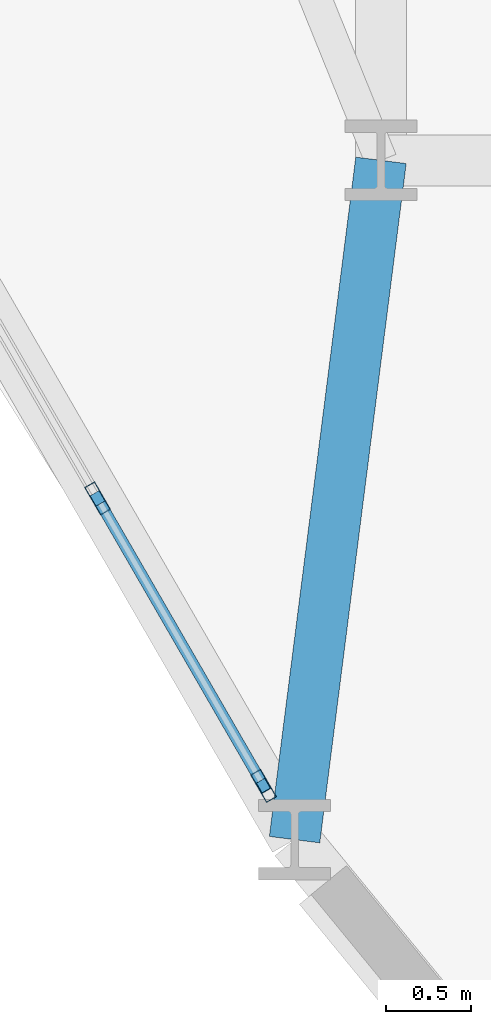
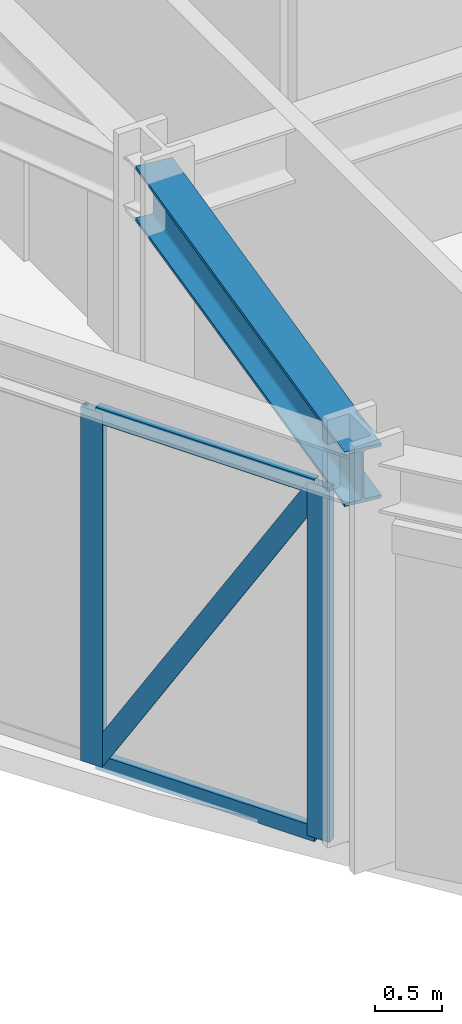
# One storey, part 2 of 20: 5 members, 1 beam, 1 element without a shape of its own.
"""IFC4 building model written with IfcOpenShell, lengths in metres."""

from ifc_helpers import new_model, si_unit, derived_unit, direction, frame, origin, origin_2d, place, context, subcontext, project, spatial, hollow_rectangle, i_section, extrude, source, transform, mapped, material, layer, layer_set, material_profile, profile_set, type_object, element, aggregate, save


model = new_model("IFC4")

# Units and contexts
model_context = context("Model", 3, precision=1e-05, world=origin(), true_north=direction((0.0, 1.0)))
body_context = subcontext(model_context, "Body", "Model", "MODEL_VIEW")
ifc_project = project(units=[si_unit("LENGTHUNIT", "METRE"), si_unit("AREAUNIT", "SQUARE_METRE"), si_unit("VOLUMEUNIT", "CUBIC_METRE"), si_unit("PLANEANGLEUNIT", "RADIAN"), si_unit("MASSUNIT", "GRAM", prefix="KILO"), derived_unit("THERMALTRANSMITTANCEUNIT", [(si_unit("POWERUNIT", "WATT"), 1), (si_unit("LENGTHUNIT", "METRE"), -2), (si_unit("THERMODYNAMICTEMPERATUREUNIT", "KELVIN"), -1)])], contexts=[model_context])

# Site, building, storey
site_placement = place(None, origin())
site = spatial("IfcSite", under=ifc_project, at=site_placement, CompositionType="ELEMENT")
building_placement = place(site_placement, origin())
building = spatial("IfcBuilding", under=site, at=building_placement, Name="Korsvarv Bourse and Concert Hall", CompositionType="ELEMENT")
storey_placement = place(building_placement, frame((0.0, 0.0, 87.300048828125)))
storey = spatial("IfcBuildingStorey", under=building, at=storey_placement, Name="L21", CompositionType="ELEMENT", Elevation=87.300048828125)

# Beam
ifc_material_1 = material(Name="Steel S355", Category="steel")
ifc_material_profile_1 = material_profile(ifc_material_1, i_section(OverallWidth=0.300048828125, OverallDepth=0.5, WebThickness=0.014404296875, FlangeThickness=0.028076171875, FilletRadius=0.02392578125, at=origin_2d()), Name="HEB 500")
ifc_profile_set_1 = profile_set([ifc_material_profile_1], Name="Steel S355")
beam_type = type_object("IfcBeamType", Name="BM-HEB500", PredefinedType="BEAM", material=ifc_profile_set_1)
shared_shape_1 = source(origin(), body_context, "Body", "SweptSolid", [
    extrude(i_section(OverallWidth=0.300048828125, OverallDepth=0.5, WebThickness=0.014404296875, FlangeThickness=0.028076171875, FilletRadius=0.02392578125, at=origin_2d()), origin(), (0.0, 0.0, 1.0), 4.041015625),
])
beam_placement = place(storey_placement, frame((27.090087890625, 19.9912109375, 3.429931640625), z_axis=(0.126205637496, 0.992004101334, 0.0), x_axis=(-0.992004101334, 0.126205637496, 0.0)))
element("IfcBeam", 1, at=beam_placement, inside=storey, type_object=beam_type, Name="L21 beam B-07", PredefinedType="BEAM", context=body_context, shape_type="MappedRepresentation", body=[
    mapped(shared_shape_1, transform((0.0, 0.0, 0.0), scale=1.0)),
])

# Curtain wall, members
ifc_material_2 = material(Name="Anodised aluminium and triple low-E glazing", Category="glass")
ifc_layer = layer(ifc_material_2, 0.219970703125)
ifc_layer_set = layer_set([ifc_layer], Name="Anodised aluminium and triple low-E glazing")
curtain_wall_type = type_object("IfcCurtainWallType", Name="CW-SYS-1", PredefinedType="NOTDEFINED", material=ifc_layer_set)
curtain_wall_placement = place(storey_placement, origin())
curtain_wall = element("IfcCurtainWall", 2, at=curtain_wall_placement, inside=storey, type_object=curtain_wall_type, Name="L21 CW1 curtain wall CW-L21-F07", PredefinedType="NOTDEFINED")
ifc_material_3 = material(Name="Extruded aluminium EN AW-6063 T66", Category="aluminium")
ifc_material_profile_2 = material_profile(ifc_material_3, hollow_rectangle(XDim=0.070068359375, YDim=0.18994140625, WallThickness=0.0048828125, at=origin_2d()), Name="ALU-M 70x190")
ifc_profile_set_2 = profile_set([ifc_material_profile_2], Name="Extruded aluminium EN AW-6063 T66")
member_type_1 = type_object("IfcMemberType", Name="CWM-190", PredefinedType="MULLION", material=ifc_profile_set_2)
shared_shape_2 = source(origin(), body_context, "Body", "SweptSolid", [
    extrude(hollow_rectangle(XDim=0.070068359375, YDim=0.18994140625, WallThickness=0.0048828125, at=origin_2d()), origin(), (0.0, 0.0, 1.0), 3.22998046875),
])
member_1_placement = place(storey_placement, frame((25.927490234375, 22.0048828125, 0.0), z_axis=(0.0, 0.0, 1.0), x_axis=(0.8660261613, 0.499998687942, 0.0)))
member_1 = element("IfcMember", 3, at=member_1_placement, type_object=member_type_1, Name="CW1 mullion 7", PredefinedType="MULLION", context=body_context, shape_type="MappedRepresentation", body=[
    mapped(shared_shape_2, transform((0.0, 0.0, 0.0), scale=1.0)),
])
member_2_placement = place(storey_placement, frame((26.906982421875, 20.30859375, 0.0), z_axis=(0.0, 0.0, 1.0), x_axis=(0.8660261613, 0.499998687942, 0.0)))
member_2 = element("IfcMember", 4, at=member_2_placement, type_object=member_type_1, Name="CW1 mullion 8", PredefinedType="MULLION", context=body_context, shape_type="MappedRepresentation", body=[
    mapped(shared_shape_2, transform((0.0, 0.0, 0.0), scale=1.0)),
])
ifc_material_profile_3 = material_profile(ifc_material_3, hollow_rectangle(XDim=0.06494140625, YDim=0.139892578125, WallThickness=0.00390625, at=origin_2d()), Name="ALU-T 65x140")
ifc_profile_set_3 = profile_set([ifc_material_profile_3], Name="Extruded aluminium EN AW-6063 T66")
member_type_2 = type_object("IfcMemberType", Name="CWT-140", PredefinedType="USERDEFINED", material=ifc_profile_set_3)
shared_shape_3 = source(origin(), body_context, "Body", "SweptSolid", [
    extrude(hollow_rectangle(XDim=0.06494140625, YDim=0.139892578125, WallThickness=0.00390625, at=origin_2d()), origin(), (0.0, 0.0, 1.0), 1.888671875),
])
member_3_placement = place(storey_placement, frame((25.945068359375, 21.974609375, 0.032470703125), z_axis=(0.499976073514, -0.866039217307, 0.0), x_axis=(0.866039217307, 0.499976073514, 0.0)))
member_3 = element("IfcMember", 5, at=member_3_placement, type_object=member_type_2, Name="CW1 transom 7.1", ObjectType="TRANSOM", PredefinedType="USERDEFINED", context=body_context, shape_type="MappedRepresentation", body=[
    mapped(shared_shape_3, transform((0.0, 0.0, 0.0), scale=1.0)),
])
member_4_placement = place(storey_placement, frame((25.945068359375, 21.974609375, 3.197509765625), z_axis=(0.499976073514, -0.866039217307, 0.0), x_axis=(0.866039217307, 0.499976073514, 0.0)))
member_4 = element("IfcMember", 6, at=member_4_placement, type_object=member_type_2, Name="CW1 transom 7.2", ObjectType="TRANSOM", PredefinedType="USERDEFINED", context=body_context, shape_type="MappedRepresentation", body=[
    mapped(shared_shape_3, transform((0.0, 0.0, 0.0), scale=1.0)),
])
ifc_material_profile_4 = material_profile(ifc_material_3, hollow_rectangle(XDim=0.06494140625, YDim=0.1650390625, WallThickness=0.0048828125, at=origin_2d()), Name="ALU-M 65x165")
ifc_profile_set_4 = profile_set([ifc_material_profile_4], Name="Extruded aluminium EN AW-6063 T66")
member_type_3 = type_object("IfcMemberType", Name="CWM-165", PredefinedType="MULLION", material=ifc_profile_set_4)
shared_shape_4 = source(origin(), body_context, "Body", "SweptSolid", [
    extrude(hollow_rectangle(XDim=0.06494140625, YDim=0.1650390625, WallThickness=0.0048828125, at=origin_2d()), origin(), (0.0, 0.0, 1.0), 3.630126953125),
])
member_5_placement = place(storey_placement, frame((25.945068359375, 21.974609375, 0.06494140625), z_axis=(0.260136503608, -0.450598390427, 0.853984830096), x_axis=(0.866039217307, 0.499976073514, 0.0)))
member_5 = element("IfcMember", 7, at=member_5_placement, type_object=member_type_3, Name="CW1 diagonal mullion 7", PredefinedType="MULLION", context=body_context, shape_type="MappedRepresentation", body=[
    mapped(shared_shape_4, transform((0.0, 0.0, 0.0), scale=1.0)),
])
aggregate(curtain_wall, [member_1, member_2, member_3, member_4, member_5])

save(model, "model.ifc")
